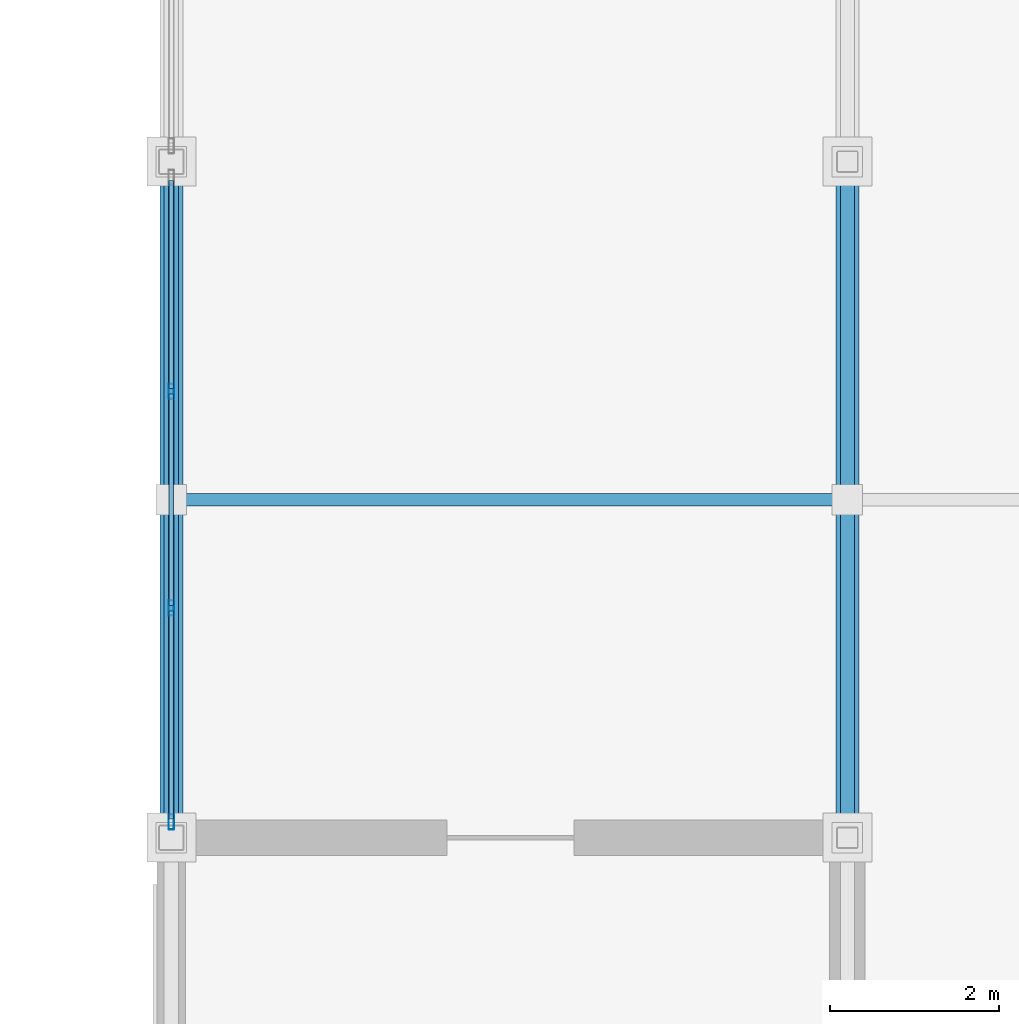
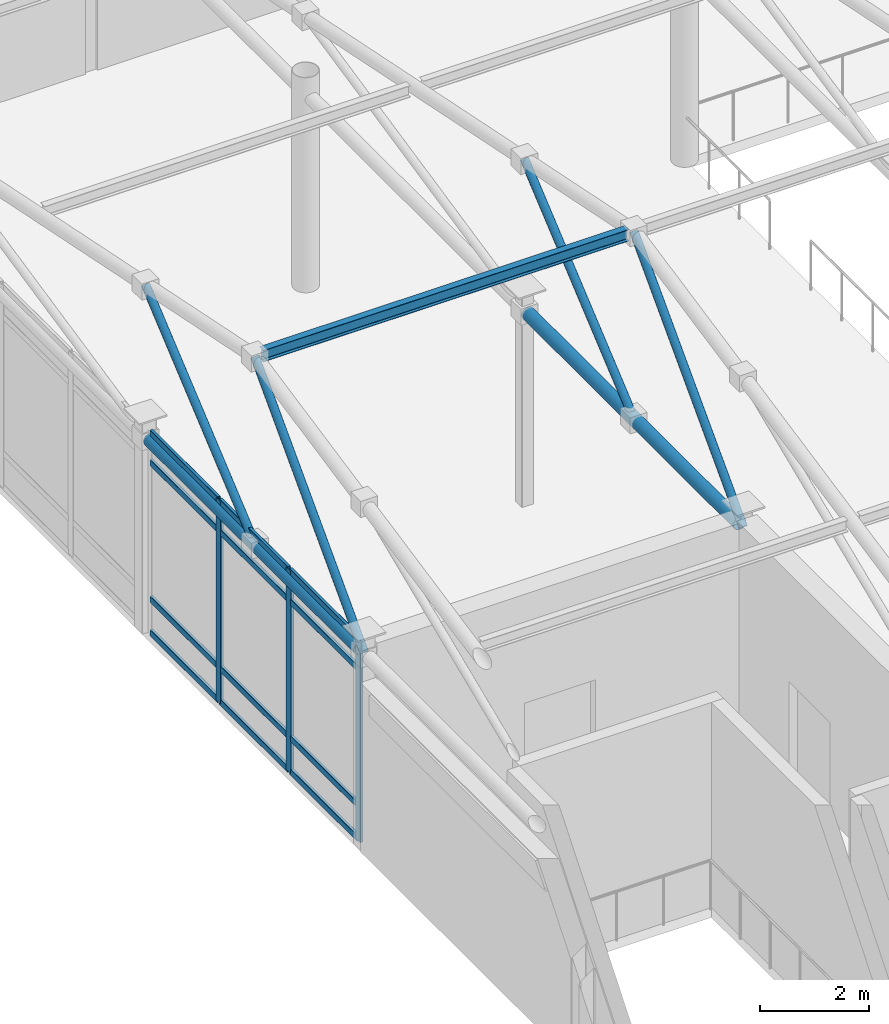
# One storey, part 24 of 117: 22 members, 1 element without a shape of its own.
"""IFC4 building model written with IfcOpenShell, lengths in metres."""

import ifcopenshell
import ifcopenshell.guid

model = None  # the IFC model being written
_history = None  # IfcOwnerHistory: only IFC2X3 demands one
_inside = {}  # id of a spatial element -> (the spatial element, [elements in it])
_under = {}  # id of a project, library or spatial element -> (it, [spatial elements below it])
_declared = {}  # id of a project -> (the project, [libraries it declares])
_typed = {}  # id of a type object -> (the type object, [elements of that type])
_made_of = {}  # id of a material, layer set ... -> (it, [elements and type objects made of it])


def new_model(schema):
    """Start an empty IFC model of exactly this schema.

    Asked for "IFC4X3", IfcOpenShell would pick the latest addendum, in which some entities
    have other attributes; the version numbers below select the first issue.
    IFC2X3 requires an IfcOwnerHistory on every rooted entity: one is made here for all.
    """
    global model, _history
    if schema == "IFC4X3":
        model = ifcopenshell.file(schema_version=(4, 3, 0, 0))
    else:
        model = ifcopenshell.file(schema=schema)
    _inside.clear()
    _under.clear()
    _declared.clear()
    _typed.clear()
    _made_of.clear()
    _history = None
    if model.schema == "IFC2X3":
        org = make("IfcOrganization", Name="unknown")
        user = make(
            "IfcPersonAndOrganization",
            ThePerson=make("IfcPerson", FamilyName="unknown"),
            TheOrganization=org,
        )
        app = make(
            "IfcApplication",
            ApplicationDeveloper=org,
            Version="unknown",
            ApplicationFullName="unknown",
            ApplicationIdentifier="unknown",
        )
        _history = make(
            "IfcOwnerHistory",
            OwningUser=user,
            OwningApplication=app,
            ChangeAction="ADDED",
            CreationDate=0,
        )
    return model


def make(cls, **values):
    """One entity of the class cls with the attributes given. An attribute that is None is left unset."""
    return model.create_entity(
        cls, **{name: value for name, value in values.items() if value is not None}
    )


def rooted(cls, **values):
    """An entity with a GlobalId (a new one), such as an element, a storey or a relation."""
    return make(cls, GlobalId=ifcopenshell.guid.new(), OwnerHistory=_history, **values)


def si_unit(unit_type, name, prefix=None):
    """IfcSIUnit, for example si_unit("LENGTHUNIT", "METRE", prefix="MILLI")."""
    return make("IfcSIUnit", UnitType=unit_type, Prefix=prefix, Name=name)


def assignment(units):
    """IfcUnitAssignment: the units of a project."""
    return None if units is None else make("IfcUnitAssignment", Units=units)


def point(xyz):
    """IfcCartesianPoint."""
    return None if xyz is None else make("IfcCartesianPoint", Coordinates=xyz)


def direction(xyz):
    """IfcDirection."""
    return None if xyz is None else make("IfcDirection", DirectionRatios=xyz)


def frame(location, z_axis=None, x_axis=None):
    """IfcAxis2Placement3D, a coordinate frame: its origin and axes. An axis left out is left unset."""
    return make(
        "IfcAxis2Placement3D",
        Location=point(location),
        Axis=direction(z_axis),
        RefDirection=direction(x_axis),
    )


def frame_2d(location, x_axis=None):
    """IfcAxis2Placement2D, a coordinate frame in the plane: its origin and x axis."""
    return make(
        "IfcAxis2Placement2D", Location=point(location), RefDirection=direction(x_axis)
    )


def origin():
    """The frame at (0, 0, 0) with its axes left unset."""
    return frame((0.0, 0.0, 0.0))


def origin_2d():
    """The frame at (0, 0) in the plane with its x axis left unset."""
    return frame_2d((0.0, 0.0))


def place(relative_to, where):
    """IfcLocalPlacement: puts the frame where relative to a parent placement (None: the world)."""
    return make(
        "IfcLocalPlacement", PlacementRelTo=relative_to, RelativePlacement=where
    )


def context(
    kind, dimensions, precision=None, world=None, true_north=None, identifier=None
):
    """IfcGeometricRepresentationContext, for example the 3D "Model" context."""
    return make(
        "IfcGeometricRepresentationContext",
        ContextIdentifier=identifier,
        ContextType=kind,
        CoordinateSpaceDimension=dimensions,
        Precision=precision,
        WorldCoordinateSystem=world,
        TrueNorth=true_north,
    )


def subcontext(parent, identifier, kind, view, scale=None):
    """IfcGeometricRepresentationSubContext, for example "Body" below "Model"."""
    return make(
        "IfcGeometricRepresentationSubContext",
        ContextIdentifier=identifier,
        ContextType=kind,
        ParentContext=parent,
        TargetScale=scale,
        TargetView=view,
    )


def project(units=None, contexts=None):
    """IfcProject with its units and contexts."""
    return rooted(
        "IfcProject",
        Name="project",
        RepresentationContexts=contexts,
        UnitsInContext=assignment(units),
    )


def spatial(cls, under=None, at=None, **own):
    """A site, building, storey or space (cls), placed at a placement, below another one or the project."""
    s = rooted(cls, ObjectPlacement=at, **own)
    if under is not None:
        _under.setdefault(under.id(), (under, []))[1].append(s)
    return s


def profile(cls, at=None, kind="AREA", **sizes):
    """A parametric profile (cls). Its sizes go by their IFC names, for example OverallWidth=200.0."""
    return make(cls, ProfileType=kind, Position=at, **sizes)


def hollow_rectangle(**sizes):
    """IfcRectangleHollowProfileDef."""
    return profile("IfcRectangleHollowProfileDef", **sizes)


def hollow_circle(**sizes):
    """IfcCircleHollowProfileDef."""
    return profile("IfcCircleHollowProfileDef", **sizes)


def i_section(**sizes):
    """IfcIShapeProfileDef."""
    return profile("IfcIShapeProfileDef", **sizes)


def extrude(swept, where, along, depth):
    """IfcExtrudedAreaSolid: the profile swept, set in the frame where, extruded along a direction by depth."""
    return make(
        "IfcExtrudedAreaSolid",
        SweptArea=swept,
        Position=where,
        ExtrudedDirection=direction(along),
        Depth=depth,
    )


def shape(context_of_items, identifier, shape_type, items):
    """IfcShapeRepresentation: the items that make up one representation, for example the "Body"."""
    return make(
        "IfcShapeRepresentation",
        ContextOfItems=context_of_items,
        RepresentationIdentifier=identifier,
        RepresentationType=shape_type,
        Items=items,
    )


def material(Name=None, Category=None):
    """IfcMaterial."""
    return make("IfcMaterial", Name=Name, Category=Category)


def material_profile(
    of_material, cross_section, Name=None, Category=None, Priority=None
):
    """IfcMaterialProfile: a cross section and its material."""
    return make(
        "IfcMaterialProfile",
        Name=Name,
        Material=of_material,
        Profile=cross_section,
        Priority=Priority,
        Category=Category,
    )


def profile_set(profiles, Name=None, composite=None):
    """IfcMaterialProfileSet."""
    return make(
        "IfcMaterialProfileSet",
        Name=Name,
        MaterialProfiles=profiles,
        CompositeProfile=composite,
    )


def made_of(thing, what):
    """Note that an element or type object is made of a material, layer set ...; save() writes the relation."""
    if what is not None:
        _made_of.setdefault(what.id(), (what, []))[1].append(thing)
    return thing


def type_object(cls, material=None, **own):
    """A type object (cls), such as IfcWallType, which elements share."""
    return made_of(rooted(cls, **own), material)


def element(
    cls,
    number,
    at=None,
    inside=None,
    cuts=None,
    type_object=None,
    material=None,
    context=None,
    identifier="Body",
    shape_type=None,
    held_by="IfcProductDefinitionShape",
    body=None,
    shapes=None,
    **own,
):
    """One element of the class cls, such as IfcWall. Its Tag is "e" and its number.

    at: its placement. inside: the storey or other place that contains it. cuts: it is an
    opening in that element (IfcRelVoidsElement). A single representation is given by context,
    identifier, shape_type and body (its items); several are given by shapes. held_by: the class
    of the entity that holds the representations. save() writes the other relations.
    """
    e = rooted(cls, Tag="e%d" % number, ObjectPlacement=at, **own)
    if body is not None:
        shapes = [shape(context, identifier, shape_type, body)]
    if shapes is not None:
        e.Representation = make(held_by, Representations=shapes)
    if inside is not None:
        _inside.setdefault(inside.id(), (inside, []))[1].append(e)
    if cuts is not None:
        rooted(
            "IfcRelVoidsElement", RelatingBuildingElement=cuts, RelatedOpeningElement=e
        )
    if type_object is not None:
        _typed.setdefault(type_object.id(), (type_object, []))[1].append(e)
    return made_of(e, material)


def aggregate(whole, parts):
    """IfcRelAggregates: a whole, such as a stair, and the parts it consists of."""
    return rooted("IfcRelAggregates", RelatingObject=whole, RelatedObjects=parts)


def save(model, path):
    """Write the relations noted so far, then the file.

    IfcRelAggregates (storeys below a building ...), IfcRelContainedInSpatialStructure (elements
    in a storey), IfcRelDefinesByType, IfcRelAssociatesMaterial and IfcRelDeclares: one each for
    every whole, place, type object, material and project.
    """
    for whole, parts in _under.values():
        aggregate(whole, parts)
    for where, things in _inside.values():
        rooted(
            "IfcRelContainedInSpatialStructure",
            RelatedElements=things,
            RelatingStructure=where,
        )
    for kind, things in _typed.values():
        rooted("IfcRelDefinesByType", RelatedObjects=things, RelatingType=kind)
    for what, things in _made_of.values():
        rooted("IfcRelAssociatesMaterial", RelatedObjects=things, RelatingMaterial=what)
    for by, libraries in _declared.values():
        rooted("IfcRelDeclares", RelatingContext=by, RelatedDefinitions=libraries)
    model.write(path)


model = new_model("IFC4")

# Units and contexts
model_context = context("Model", 3, precision=1e-05, world=origin(), true_north=direction((0.0, 1.0)))
body_context = subcontext(model_context, "Body", "Model", "MODEL_VIEW")
ifc_project = project(units=[si_unit("LENGTHUNIT", "METRE"), si_unit("AREAUNIT", "SQUARE_METRE"), si_unit("VOLUMEUNIT", "CUBIC_METRE"), si_unit("PLANEANGLEUNIT", "RADIAN"), si_unit("MASSUNIT", "GRAM", prefix="KILO")], contexts=[model_context])

# Site, building, storey
site_placement = place(None, origin())
site = spatial("IfcSite", under=ifc_project, at=site_placement, CompositionType="ELEMENT")
building_placement = place(site_placement, origin())
building = spatial("IfcBuilding", under=site, at=building_placement, Name="Solmirada Galleria", CompositionType="ELEMENT")
storey_placement = place(building_placement, frame((0.0, 0.0, 5.60009765625)))
storey = spatial("IfcBuildingStorey", under=building, at=storey_placement, Name="L01", CompositionType="ELEMENT", Elevation=5.60009765625)

# Curtain wall, members
ifc_material_1 = material(Name="Impact-resistant low-E double glazing", Category="glass")
curtain_wall_type = type_object("IfcCurtainWallType", Name="CW-FZ1-L01-B3-L077", PredefinedType="NOTDEFINED", material=ifc_material_1)
curtain_wall_placement = place(storey_placement, origin())
curtain_wall = element("IfcCurtainWall", 1, at=curtain_wall_placement, inside=storey, type_object=curtain_wall_type, Name="Terrace and arcade storefront CW-L01-080", PredefinedType="NOTDEFINED")
ifc_material_2 = material(Name="Anodised aluminium framing", Category="aluminium")
ifc_material_profile_1 = material_profile(ifc_material_2, hollow_rectangle(XDim=0.06494140625, YDim=0.179931640625, WallThickness=0.00390625, InnerFilletRadius=0.00390625, OuterFilletRadius=0.008056640625, at=origin_2d()), Name="ALU-MULL-180X65")
ifc_profile_set_1 = profile_set([ifc_material_profile_1], Name="Anodised aluminium framing")
member_type_1 = type_object("IfcMemberType", Name="CW-MULL-180", PredefinedType="MULLION", material=ifc_profile_set_1)
member_1_placement = place(storey_placement, frame((40.0, 16.18701171875, 0.0), z_axis=(0.0, 0.0, 1.0), x_axis=(-1.0, 0.0, 0.0)))
member_1 = element("IfcMember", 2, at=member_1_placement, type_object=member_type_1, Name="CW19 mullion 1", PredefinedType="MULLION", context=body_context, shape_type="SweptSolid", body=[
    extrude(hollow_rectangle(XDim=0.06494140625, YDim=0.179931640625, WallThickness=0.00390625, InnerFilletRadius=0.00390625, OuterFilletRadius=0.008056640625, at=origin_2d()), origin(), (0.0, 0.0, 1.0), 4.52001953125),
])
member_2_placement = place(storey_placement, frame((40.0, 18.71826171875, 0.0), z_axis=(0.0, 0.0, 1.0), x_axis=(-1.0, 0.0, 0.0)))
member_2 = element("IfcMember", 3, at=member_2_placement, type_object=member_type_1, Name="CW19 mullion 2", PredefinedType="MULLION", context=body_context, shape_type="SweptSolid", body=[
    extrude(hollow_rectangle(XDim=0.06494140625, YDim=0.179931640625, WallThickness=0.00390625, InnerFilletRadius=0.00390625, OuterFilletRadius=0.008056640625, at=origin_2d()), origin(), (0.0, 0.0, 1.0), 4.52001953125),
])
member_3_placement = place(storey_placement, frame((40.0, 21.28173828125, 0.0), z_axis=(0.0, 0.0, 1.0), x_axis=(-1.0, 0.0, 0.0)))
member_3 = element("IfcMember", 4, at=member_3_placement, type_object=member_type_1, Name="CW19 mullion 3", PredefinedType="MULLION", context=body_context, shape_type="SweptSolid", body=[
    extrude(hollow_rectangle(XDim=0.06494140625, YDim=0.179931640625, WallThickness=0.00390625, InnerFilletRadius=0.00390625, OuterFilletRadius=0.008056640625, at=origin_2d()), origin(), (0.0, 0.0, 1.0), 4.52001953125),
])
ifc_material_profile_2 = material_profile(ifc_material_2, hollow_rectangle(XDim=0.06494140625, YDim=0.139892578125, WallThickness=0.00341796875, InnerFilletRadius=0.00341796875, OuterFilletRadius=0.007080078125, at=origin_2d()), Name="ALU-TRAN-140X65")
ifc_profile_set_2 = profile_set([ifc_material_profile_2], Name="Anodised aluminium framing")
member_type_2 = type_object("IfcMemberType", Name="CW-TRAN-140", PredefinedType="USERDEFINED", material=ifc_profile_set_2)
member_4_placement = place(storey_placement, frame((40.0, 16.219482421875, 0.032470703125), z_axis=(0.0, 1.0, 0.0), x_axis=(-1.0, 0.0, 0.0)))
member_4 = element("IfcMember", 5, at=member_4_placement, type_object=member_type_2, Name="CW19 transom 1.1", ObjectType="TRANSOM", PredefinedType="USERDEFINED", context=body_context, shape_type="SweptSolid", body=[
    extrude(hollow_rectangle(XDim=0.06494140625, YDim=0.139892578125, WallThickness=0.00341796875, InnerFilletRadius=0.00341796875, OuterFilletRadius=0.007080078125, at=origin_2d()), origin(), (0.0, 0.0, 1.0), 2.466064453125),
])
member_5_placement = place(storey_placement, frame((40.0, 16.219482421875, 0.77978515625), z_axis=(0.0, 1.0, 0.0), x_axis=(-1.0, 0.0, 0.0)))
member_5 = element("IfcMember", 6, at=member_5_placement, type_object=member_type_2, Name="CW19 transom 1.2", ObjectType="TRANSOM", PredefinedType="USERDEFINED", context=body_context, shape_type="SweptSolid", body=[
    extrude(hollow_rectangle(XDim=0.06494140625, YDim=0.139892578125, WallThickness=0.00341796875, InnerFilletRadius=0.00341796875, OuterFilletRadius=0.007080078125, at=origin_2d()), origin(), (0.0, 0.0, 1.0), 2.466064453125),
])
member_6_placement = place(storey_placement, frame((40.0, 16.219482421875, 3.829833984375), z_axis=(0.0, 1.0, 0.0), x_axis=(-1.0, 0.0, 0.0)))
member_6 = element("IfcMember", 7, at=member_6_placement, type_object=member_type_2, Name="CW19 transom 1.3", ObjectType="TRANSOM", PredefinedType="USERDEFINED", context=body_context, shape_type="SweptSolid", body=[
    extrude(hollow_rectangle(XDim=0.06494140625, YDim=0.139892578125, WallThickness=0.00341796875, InnerFilletRadius=0.00341796875, OuterFilletRadius=0.007080078125, at=origin_2d()), origin(), (0.0, 0.0, 1.0), 2.466064453125),
])
member_7_placement = place(storey_placement, frame((40.0, 16.219482421875, 4.4873046875), z_axis=(0.0, 1.0, 0.0), x_axis=(-1.0, 0.0, 0.0)))
member_7 = element("IfcMember", 8, at=member_7_placement, type_object=member_type_2, Name="CW19 transom 1.4", ObjectType="TRANSOM", PredefinedType="USERDEFINED", context=body_context, shape_type="SweptSolid", body=[
    extrude(hollow_rectangle(XDim=0.06494140625, YDim=0.139892578125, WallThickness=0.00341796875, InnerFilletRadius=0.00341796875, OuterFilletRadius=0.007080078125, at=origin_2d()), origin(), (0.0, 0.0, 1.0), 2.466064453125),
])
member_8_placement = place(storey_placement, frame((40.0, 18.750732421875, 0.032470703125), z_axis=(0.0, 1.0, 0.0), x_axis=(-1.0, 0.0, 0.0)))
member_8 = element("IfcMember", 9, at=member_8_placement, type_object=member_type_2, Name="CW19 transom 2.1", ObjectType="TRANSOM", PredefinedType="USERDEFINED", context=body_context, shape_type="SweptSolid", body=[
    extrude(hollow_rectangle(XDim=0.06494140625, YDim=0.139892578125, WallThickness=0.00341796875, InnerFilletRadius=0.00341796875, OuterFilletRadius=0.007080078125, at=origin_2d()), origin(), (0.0, 0.0, 1.0), 2.49853515625),
])
member_9_placement = place(storey_placement, frame((40.0, 18.750732421875, 0.77978515625), z_axis=(0.0, 1.0, 0.0), x_axis=(-1.0, 0.0, 0.0)))
member_9 = element("IfcMember", 10, at=member_9_placement, type_object=member_type_2, Name="CW19 transom 2.2", ObjectType="TRANSOM", PredefinedType="USERDEFINED", context=body_context, shape_type="SweptSolid", body=[
    extrude(hollow_rectangle(XDim=0.06494140625, YDim=0.139892578125, WallThickness=0.00341796875, InnerFilletRadius=0.00341796875, OuterFilletRadius=0.007080078125, at=origin_2d()), origin(), (0.0, 0.0, 1.0), 2.49853515625),
])
member_10_placement = place(storey_placement, frame((40.0, 18.750732421875, 3.829833984375), z_axis=(0.0, 1.0, 0.0), x_axis=(-1.0, 0.0, 0.0)))
member_10 = element("IfcMember", 11, at=member_10_placement, type_object=member_type_2, Name="CW19 transom 2.3", ObjectType="TRANSOM", PredefinedType="USERDEFINED", context=body_context, shape_type="SweptSolid", body=[
    extrude(hollow_rectangle(XDim=0.06494140625, YDim=0.139892578125, WallThickness=0.00341796875, InnerFilletRadius=0.00341796875, OuterFilletRadius=0.007080078125, at=origin_2d()), origin(), (0.0, 0.0, 1.0), 2.49853515625),
])
member_11_placement = place(storey_placement, frame((40.0, 18.750732421875, 4.4873046875), z_axis=(0.0, 1.0, 0.0), x_axis=(-1.0, 0.0, 0.0)))
member_11 = element("IfcMember", 12, at=member_11_placement, type_object=member_type_2, Name="CW19 transom 2.4", ObjectType="TRANSOM", PredefinedType="USERDEFINED", context=body_context, shape_type="SweptSolid", body=[
    extrude(hollow_rectangle(XDim=0.06494140625, YDim=0.139892578125, WallThickness=0.00341796875, InnerFilletRadius=0.00341796875, OuterFilletRadius=0.007080078125, at=origin_2d()), origin(), (0.0, 0.0, 1.0), 2.49853515625),
])
member_12_placement = place(storey_placement, frame((40.0, 21.314453125, 0.032470703125), z_axis=(0.0, 1.0, 0.0), x_axis=(-1.0, 0.0, 0.0)))
member_12 = element("IfcMember", 13, at=member_12_placement, type_object=member_type_2, Name="CW19 transom 3.1", ObjectType="TRANSOM", PredefinedType="USERDEFINED", context=body_context, shape_type="SweptSolid", body=[
    extrude(hollow_rectangle(XDim=0.06494140625, YDim=0.139892578125, WallThickness=0.00341796875, InnerFilletRadius=0.00341796875, OuterFilletRadius=0.007080078125, at=origin_2d()), origin(), (0.0, 0.0, 1.0), 2.466064453125),
])
member_13_placement = place(storey_placement, frame((40.0, 21.314453125, 0.77978515625), z_axis=(0.0, 1.0, 0.0), x_axis=(-1.0, 0.0, 0.0)))
member_13 = element("IfcMember", 14, at=member_13_placement, type_object=member_type_2, Name="CW19 transom 3.2", ObjectType="TRANSOM", PredefinedType="USERDEFINED", context=body_context, shape_type="SweptSolid", body=[
    extrude(hollow_rectangle(XDim=0.06494140625, YDim=0.139892578125, WallThickness=0.00341796875, InnerFilletRadius=0.00341796875, OuterFilletRadius=0.007080078125, at=origin_2d()), origin(), (0.0, 0.0, 1.0), 2.466064453125),
])
member_14_placement = place(storey_placement, frame((40.0, 21.314453125, 3.829833984375), z_axis=(0.0, 1.0, 0.0), x_axis=(-1.0, 0.0, 0.0)))
member_14 = element("IfcMember", 15, at=member_14_placement, type_object=member_type_2, Name="CW19 transom 3.3", ObjectType="TRANSOM", PredefinedType="USERDEFINED", context=body_context, shape_type="SweptSolid", body=[
    extrude(hollow_rectangle(XDim=0.06494140625, YDim=0.139892578125, WallThickness=0.00341796875, InnerFilletRadius=0.00341796875, OuterFilletRadius=0.007080078125, at=origin_2d()), origin(), (0.0, 0.0, 1.0), 2.466064453125),
])
member_15_placement = place(storey_placement, frame((40.0, 21.314453125, 4.4873046875), z_axis=(0.0, 1.0, 0.0), x_axis=(-1.0, 0.0, 0.0)))
member_15 = element("IfcMember", 16, at=member_15_placement, type_object=member_type_2, Name="CW19 transom 3.4", ObjectType="TRANSOM", PredefinedType="USERDEFINED", context=body_context, shape_type="SweptSolid", body=[
    extrude(hollow_rectangle(XDim=0.06494140625, YDim=0.139892578125, WallThickness=0.00341796875, InnerFilletRadius=0.00341796875, OuterFilletRadius=0.007080078125, at=origin_2d()), origin(), (0.0, 0.0, 1.0), 2.466064453125),
])
aggregate(curtain_wall, [member_1, member_2, member_3, member_4, member_5, member_6, member_7, member_8, member_9, member_10, member_11, member_12, member_13, member_14, member_15])

# Members
ifc_material_3 = material(Name="Steel S355 / ASTM A500 Grade C", Category="steel")
ifc_material_profile_3 = material_profile(ifc_material_3, hollow_circle(Radius=0.136474609375, WallThickness=0.0087890625, at=origin_2d()), Name="HSS10.750X0.375")
ifc_profile_set_3 = profile_set([ifc_material_profile_3], Name="Steel S355 / ASTM A500 Grade C")
member_type_3 = type_object("IfcMemberType", Name="MEM-FH-CHORD", PredefinedType="CHORD", material=ifc_profile_set_3)
member_16_placement = place(storey_placement, frame((40.0, 16.152587890625, 4.2998046875), z_axis=(0.0, 1.0, 0.0), x_axis=(-1.0, 0.0, 0.0)))
element("IfcMember", 17, at=member_16_placement, inside=storey, type_object=member_type_3, Name="Food Hall truss bottom chord X=40", PredefinedType="CHORD", context=body_context, shape_type="SweptSolid", body=[
    extrude(hollow_circle(Radius=0.136474609375, WallThickness=0.0087890625, at=origin_2d()), origin(), (0.0, 0.0, 1.0), 7.69482421875),
])
member_17_placement = place(storey_placement, frame((48.0, 16.126953125, 4.2998046875), z_axis=(0.0, 1.0, 0.0), x_axis=(-1.0, 0.0, 0.0)))
element("IfcMember", 18, at=member_17_placement, inside=storey, type_object=member_type_3, Name="Food Hall truss bottom chord X=48", PredefinedType="CHORD", context=body_context, shape_type="SweptSolid", body=[
    extrude(hollow_circle(Radius=0.136474609375, WallThickness=0.0087890625, at=origin_2d()), origin(), (0.0, 0.0, 1.0), 7.74609375),
])
ifc_material_profile_4 = material_profile(ifc_material_3, hollow_circle(Radius=0.083984375, WallThickness=0.006591796875, at=origin_2d()), Name="HSS6.625X0.280")
ifc_profile_set_4 = profile_set([ifc_material_profile_4], Name="Steel S355 / ASTM A500 Grade C")
member_type_4 = type_object("IfcMemberType", Name="MEM-FH-WEB", PredefinedType="BRACE", material=ifc_profile_set_4)
member_18_placement = place(storey_placement, frame((40.0, 16.0, 4.2998046875), z_axis=(0.0, 0.691364429711, 0.722506211274), x_axis=(-1.0, 0.0, 0.0)))
element("IfcMember", 19, at=member_18_placement, inside=storey, type_object=member_type_4, Name="Food Hall truss web diagonal X=40", PredefinedType="BRACE", context=body_context, shape_type="SweptSolid", body=[
    extrude(hollow_circle(Radius=0.083984375, WallThickness=0.006591796875, at=origin_2d()), origin(), (0.0, 0.0, 1.0), 5.78564453125),
])
member_19_placement = place(storey_placement, frame((40.0, 20.0, 4.2998046875), z_axis=(0.0, 0.765694737469, 0.643204142565), x_axis=(-1.0, 0.0, 0.0)))
element("IfcMember", 20, at=member_19_placement, inside=storey, type_object=member_type_4, Name="Food Hall truss web diagonal X=40", PredefinedType="BRACE", context=body_context, shape_type="SweptSolid", body=[
    extrude(hollow_circle(Radius=0.083984375, WallThickness=0.006591796875, at=origin_2d()), origin(), (0.0, 0.0, 1.0), 5.22412109375),
])
member_20_placement = place(storey_placement, frame((48.0, 16.0, 4.2998046875), z_axis=(0.0, 0.691364429711, 0.722506211274), x_axis=(-1.0, 0.0, 0.0)))
element("IfcMember", 21, at=member_20_placement, inside=storey, type_object=member_type_4, Name="Food Hall truss web diagonal X=48", PredefinedType="BRACE", context=body_context, shape_type="SweptSolid", body=[
    extrude(hollow_circle(Radius=0.083984375, WallThickness=0.006591796875, at=origin_2d()), origin(), (0.0, 0.0, 1.0), 5.78564453125),
])
member_21_placement = place(storey_placement, frame((48.0, 20.0, 4.2998046875), z_axis=(0.0, 0.765694737469, 0.643204142565), x_axis=(-1.0, 0.0, 0.0)))
element("IfcMember", 22, at=member_21_placement, inside=storey, type_object=member_type_4, Name="Food Hall truss web diagonal X=48", PredefinedType="BRACE", context=body_context, shape_type="SweptSolid", body=[
    extrude(hollow_circle(Radius=0.083984375, WallThickness=0.006591796875, at=origin_2d()), origin(), (0.0, 0.0, 1.0), 5.22412109375),
])
ifc_material_4 = material(Name="Steel S355 / ASTM A992 Grade 50", Category="steel")
ifc_material_profile_5 = material_profile(ifc_material_4, i_section(OverallWidth=0.14599609375, OverallDepth=0.258056640625, WebThickness=0.006103515625, FlangeThickness=0.009033203125, FilletRadius=0.009033203125, at=origin_2d()), Name="W10X22")
ifc_profile_set_5 = profile_set([ifc_material_profile_5], Name="Steel S355 / ASTM A992 Grade 50")
member_type_5 = type_object("IfcMemberType", Name="MEM-ROOF-PURL", PredefinedType="PURLIN", material=ifc_profile_set_5)
member_22_placement = place(storey_placement, frame((40.139892578125, 20.0, 8.47998046875), z_axis=(1.0, 0.0, 0.0), x_axis=(0.0, 1.0, 0.0)))
element("IfcMember", 23, at=member_22_placement, inside=storey, type_object=member_type_5, Name="Food Hall roof purlin Y=20", PredefinedType="PURLIN", context=body_context, shape_type="SweptSolid", body=[
    extrude(i_section(OverallWidth=0.14599609375, OverallDepth=0.258056640625, WebThickness=0.006103515625, FlangeThickness=0.009033203125, FilletRadius=0.009033203125, at=origin_2d()), origin(), (0.0, 0.0, 1.0), 7.72021484375),
])

save(model, "model.ifc")
